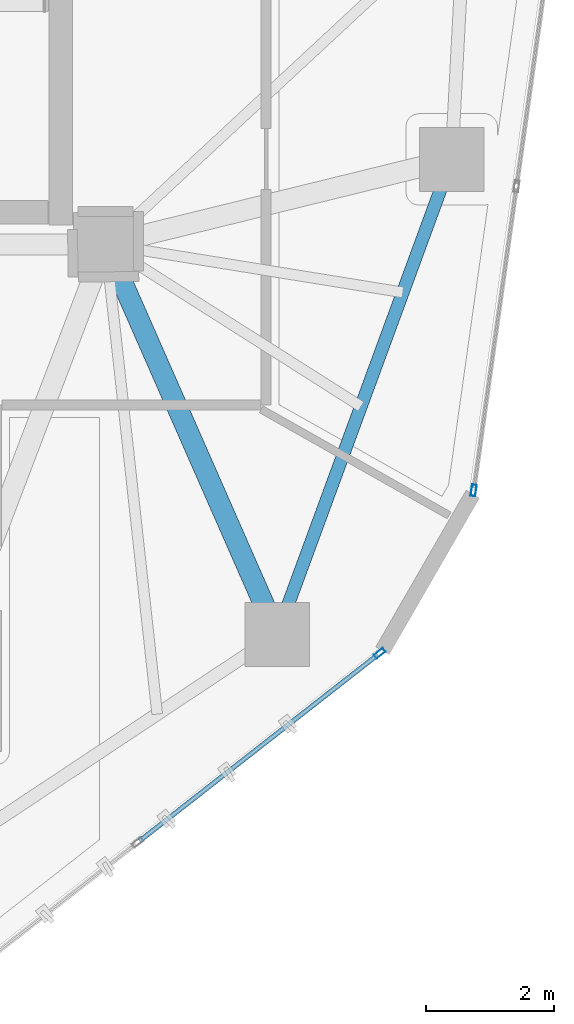
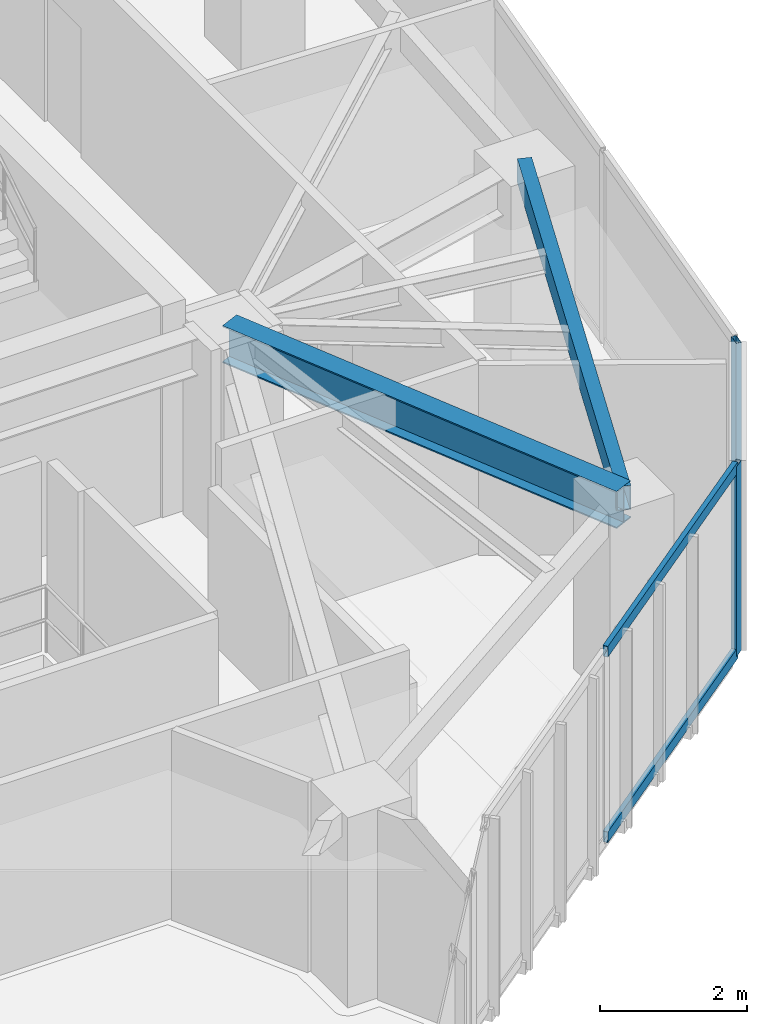
# One storey, part 7 of 21: 4 members, 2 beams, 2 elements without a shape of their own.
"""IFC4 building model written with IfcOpenShell, lengths in metres."""

from ifc_helpers import new_model, si_unit, direction, frame, origin, origin_2d, place, context, subcontext, project, spatial, hollow_rectangle, i_section, extrude, source, transform, mapped, material, layer, layer_set, material_profile, profile_set, type_object, type_shapes, element, aggregate, save


model = new_model("IFC4")

# Units and contexts
model_context = context("Model", 3, precision=1e-05, world=origin(), true_north=direction((0.0, 1.0)))
body_context = subcontext(model_context, "Body", "Model", "MODEL_VIEW")
ifc_project = project(units=[si_unit("LENGTHUNIT", "METRE"), si_unit("AREAUNIT", "SQUARE_METRE"), si_unit("VOLUMEUNIT", "CUBIC_METRE"), si_unit("PLANEANGLEUNIT", "RADIAN"), si_unit("MASSUNIT", "GRAM", prefix="KILO")], contexts=[model_context])

# Site, building, storey
site_placement = place(None, origin())
site = spatial("IfcSite", under=ifc_project, at=site_placement, CompositionType="ELEMENT")
building_placement = place(site_placement, origin())
building = spatial("IfcBuilding", under=site, at=building_placement, Name="Talar Marvaseh", CompositionType="ELEMENT")
storey_placement = place(building_placement, frame((0.0, 0.0, 232.699951171875)))
storey = spatial("IfcBuildingStorey", under=building, at=storey_placement, Name="L61", CompositionType="ELEMENT", Elevation=232.699951171875)

# Beams
ifc_material_1 = material(Name="Steel S355", Category="steel")
ifc_material_profile_1 = material_profile(ifc_material_1, hollow_rectangle(XDim=0.199951171875, YDim=0.39990234375, WallThickness=0.013916015625, at=origin_2d()), Name="RHS400x200x14")
ifc_profile_set_1 = profile_set([ifc_material_profile_1], Name="Steel S355")
beam_type_1 = type_object("IfcBeamType", Name="Zone 3 Perimeter Spandrel Beam RHS400x200x14", PredefinedType="SPANDREL", material=ifc_profile_set_1)
beam_1_placement = place(storey_placement, frame((38.68896484375, 26.823974609375, 2.949951171875), z_axis=(-0.344742291376, -0.938697370049, 0.0), x_axis=(0.938697370049, -0.344742291376, 0.0)))
element("IfcBeam", 1, at=beam_1_placement, inside=storey, type_object=beam_type_1, Name="L61 Zone 3 Perimeter Spandrel Beam RHS400x200x14", PredefinedType="SPANDREL", context=body_context, shape_type="SweptSolid", body=[
    extrude(hollow_rectangle(XDim=0.199951171875, YDim=0.39990234375, WallThickness=0.013916015625, at=origin_2d()), origin(), (0.0, 0.0, 1.0), 7.88427734375),
])
ifc_material_profile_2 = material_profile(ifc_material_1, i_section(OverallWidth=0.324951171875, OverallDepth=0.615966796875, WebThickness=0.013916015625, FlangeThickness=0.021484375, at=origin_2d()), Name="W610x174")
ifc_profile_set_2 = profile_set([ifc_material_profile_2], Name="Steel S355")
beam_type_2 = type_object("IfcBeamType", Name="Zone 3 Radial Floor Girder W610x174", PredefinedType="BEAM", material=ifc_profile_set_2)
beam_2_placement = place(storey_placement, frame((35.970947265625, 19.423095703125, 2.842041015625), z_axis=(-0.402367581672, 0.91547819702, 0.0), x_axis=(-0.91547819702, -0.402367581672, 0.0)))
element("IfcBeam", 2, at=beam_2_placement, inside=storey, type_object=beam_type_2, Name="L61 Zone 3 Radial Floor Girder W610x174", PredefinedType="BEAM", context=body_context, shape_type="SweptSolid", body=[
    extrude(i_section(OverallWidth=0.324951171875, OverallDepth=0.615966796875, WebThickness=0.013916015625, FlangeThickness=0.021484375, at=origin_2d()), origin(), (0.0, 0.0, 1.0), 6.637939453125),
])

# Curtain wall, members
ifc_material_2 = material(Name="Architectural Aluminium", Category="aluminium")
ifc_layer = layer(ifc_material_2, 0.18994140625)
ifc_layer_set = layer_set([ifc_layer], Name="Architectural Aluminium")
curtain_wall_type = type_object("IfcCurtainWallType", Name="Unitised Solar Atelier Curtain Wall Z3", PredefinedType="NOTDEFINED", material=ifc_layer_set)
curtain_wall_1_placement = place(storey_placement, origin())
curtain_wall_1 = element("IfcCurtainWall", 3, at=curtain_wall_1_placement, inside=storey, type_object=curtain_wall_type, Name="L61 Unitised Solar Atelier Curtain Wall Z3", PredefinedType="NOTDEFINED")
ifc_material_profile_3 = material_profile(ifc_material_2, hollow_rectangle(XDim=0.074951171875, YDim=0.179931640625, WallThickness=0.0048828125, at=origin_2d()), Name="RHS180x75x5")
ifc_profile_set_3 = profile_set([ifc_material_profile_3], Name="Architectural Aluminium")
member_type_1 = type_object("IfcMemberType", Name="Unitised Curtain Wall Transom RHS180x75x5", PredefinedType="USERDEFINED", material=ifc_profile_set_3)
shared_shape_1 = source(origin(), body_context, "Body", "SweptSolid", [
    extrude(hollow_rectangle(XDim=0.074951171875, YDim=0.179931640625, WallThickness=0.0048828125, at=origin_2d()), origin(), (0.0, 0.0, 1.0), 4.70947265625),
])
type_shapes(member_type_1, [shared_shape_1])
member_1_placement = place(storey_placement, frame((37.537353515625, 19.107421875, 0.03759765625), z_axis=(-0.787904113109, -0.615797944577, 0.0), x_axis=(0.615797944577, -0.787904113109, 0.0)))
member_1 = element("IfcMember", 4, at=member_1_placement, type_object=member_type_1, Name="CW-Z3 transom 1.1", ObjectType="TRANSOM", PredefinedType="USERDEFINED", context=body_context, shape_type="MappedRepresentation", body=[
    mapped(shared_shape_1, transform((0.0, 0.0, 0.0), x_axis=(1.0, 0.0, 0.0), y_axis=(0.0, 1.0, 0.0), z_axis=(0.0, 0.0, 1.0), scale=1.0)),
])
member_2_placement = place(storey_placement, frame((37.537353515625, 19.107421875, 3.112548828125), z_axis=(-0.787904113109, -0.615797944577, 0.0), x_axis=(0.615797944577, -0.787904113109, 0.0)))
member_2 = element("IfcMember", 5, at=member_2_placement, type_object=member_type_1, Name="CW-Z3 transom 1.2", ObjectType="TRANSOM", PredefinedType="USERDEFINED", context=body_context, shape_type="MappedRepresentation", body=[
    mapped(shared_shape_1, transform((0.0, 0.0, 0.0), x_axis=(1.0, 0.0, 0.0), y_axis=(0.0, 1.0, 0.0), z_axis=(0.0, 0.0, 1.0), scale=1.0)),
])

# Curtain wall, member
curtain_wall_2_placement = place(storey_placement, origin())
curtain_wall_2 = element("IfcCurtainWall", 6, at=curtain_wall_2_placement, inside=storey, type_object=curtain_wall_type, Name="L61 Unitised Solar Atelier Curtain Wall Z3", PredefinedType="NOTDEFINED")
ifc_material_profile_4 = material_profile(ifc_material_2, hollow_rectangle(XDim=0.074951171875, YDim=0.179931640625, WallThickness=0.0048828125, at=origin_2d()), Name="RHS180x75x5")
ifc_profile_set_4 = profile_set([ifc_material_profile_4], Name="Architectural Aluminium")
member_type_2 = type_object("IfcMemberType", Name="Unitised Curtain Wall Standard Mullion RHS180x75x5", PredefinedType="MULLION", material=ifc_profile_set_4)
shared_shape_2 = source(origin(), body_context, "Body", "SweptSolid", [
    extrude(hollow_rectangle(XDim=0.074951171875, YDim=0.179931640625, WallThickness=0.0048828125, at=origin_2d()), origin(), (0.0, 0.0, 1.0), 3.150146484375),
])
type_shapes(member_type_2, [shared_shape_2])
member_3_placement = place(storey_placement, frame((39.03173828125, 21.66748046875, 0.0), z_axis=(0.0, 0.0, 1.0), x_axis=(0.990246936028, -0.139323385282, 0.0)))
member_3 = element("IfcMember", 7, at=member_3_placement, type_object=member_type_2, Name="CW-Z3 mullion 5", PredefinedType="MULLION", context=body_context, shape_type="MappedRepresentation", body=[
    mapped(shared_shape_2, transform((0.0, 0.0, 0.0), x_axis=(1.0, 0.0, 0.0), y_axis=(0.0, 1.0, 0.0), z_axis=(0.0, 0.0, 1.0), scale=1.0)),
])
aggregate(curtain_wall_2, [member_3])

# Member
member_4_placement = place(storey_placement, frame((37.56689453125, 19.13037109375, 0.0), z_axis=(0.0, 0.0, 1.0), x_axis=(0.61578418046, -0.787914870462, 0.0)))
member_4 = element("IfcMember", 8, at=member_4_placement, type_object=member_type_2, Name="CW-Z3 mullion 1", PredefinedType="MULLION", context=body_context, shape_type="MappedRepresentation", body=[
    mapped(shared_shape_2, transform((0.0, 0.0, 0.0), x_axis=(1.0, 0.0, 0.0), y_axis=(0.0, 1.0, 0.0), z_axis=(0.0, 0.0, 1.0), scale=1.0)),
])

aggregate(curtain_wall_1, [member_4, member_1, member_2])

save(model, "model.ifc")
